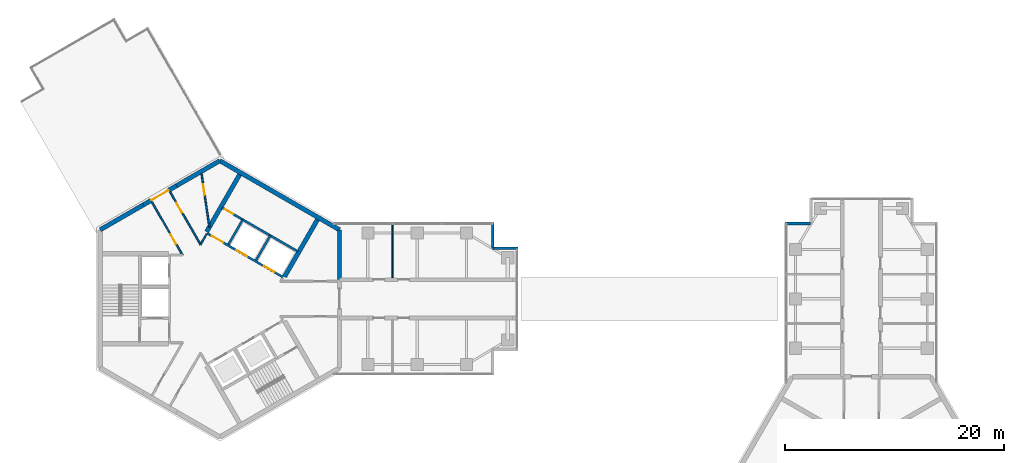
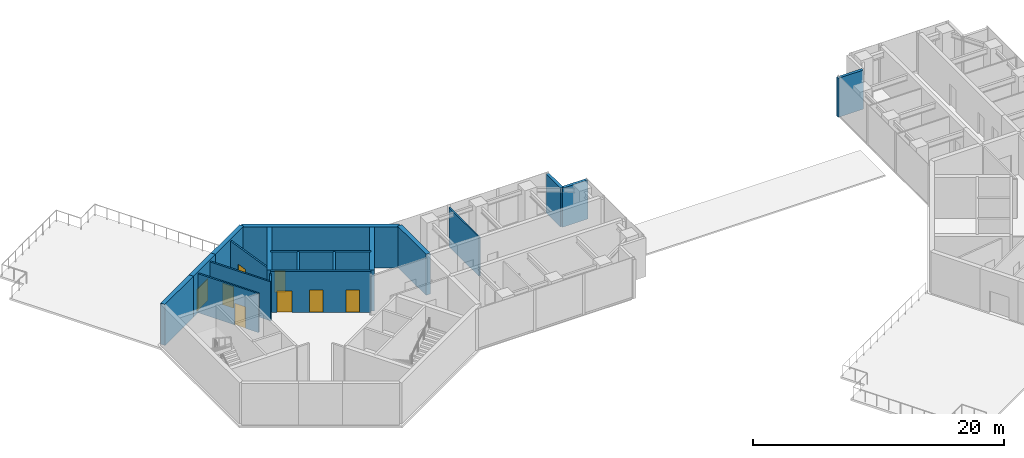
# One storey, part 7 of 11: 19 walls, 8 doors, 8 openings.
"""IFC4 building model written with IfcOpenShell, lengths in metres."""

from ifc_helpers import new_model, si_unit, direction, frame, frame_2d, origin, place, context, subcontext, project, spatial, rectangle, extrude, material, layer, layer_set, type_object, element, fill, save


model = new_model("IFC4")

# Units and contexts
model_context = context("Model", 3, precision=1e-05, world=origin(), true_north=direction((0.0, 1.0)))
body_context = subcontext(model_context, "Body", "Model", "MODEL_VIEW")
ifc_project = project(units=[si_unit("LENGTHUNIT", "METRE"), si_unit("AREAUNIT", "SQUARE_METRE"), si_unit("VOLUMEUNIT", "CUBIC_METRE"), si_unit("PLANEANGLEUNIT", "RADIAN"), si_unit("MASSUNIT", "GRAM", prefix="KILO")], contexts=[model_context])

# Site, building, storey
site_placement = place(None, origin())
site = spatial("IfcSite", under=ifc_project, at=site_placement, CompositionType="ELEMENT")
building_placement = place(site_placement, origin())
building = spatial("IfcBuilding", under=site, at=building_placement, Name="Upepo Twin Towers", CompositionType="ELEMENT")
storey_placement = place(building_placement, frame((0.0, 0.0, 243.5)))
storey = spatial("IfcBuildingStorey", under=building, at=storey_placement, Name="L59", CompositionType="ELEMENT", Elevation=243.5)

# Walls
ifc_material_1 = material(Name="Concrete C60/75", Category="concrete")
ifc_layer_1 = layer(ifc_material_1, 0.39990234375)
ifc_layer_set_1 = layer_set([ifc_layer_1], Name="Concrete C60/75")
wall_type_1 = type_object("IfcWallType", Name="Core wall 400 RC", PredefinedType="SHEAR", material=ifc_layer_set_1)
wall_1_placement = place(storey_placement, frame((10.908447265625, 1.75, 0.0), z_axis=(0.0, 0.0, 1.0), x_axis=(0.0, 1.0, 0.0)))
element("IfcWall", 1, at=wall_1_placement, inside=storey, type_object=wall_type_1, Name="T1 core wall 000 L", PredefinedType="SHEAR", context=body_context, shape_type="SweptSolid", body=[
    extrude(rectangle(XDim=4.5478515625, YDim=0.39990234375, at=frame_2d((2.27392578125, 0.0))), origin(), (0.0, 0.0, 1.0), 4.0),
])
wall_2_placement = place(storey_placement, frame((10.908447265625, 6.2978515625, 0.0), z_axis=(0.0, 0.0, 1.0), x_axis=(-0.866021940709, 0.500005998175, 0.0)))
element("IfcWall", 2, at=wall_2_placement, inside=storey, type_object=wall_type_1, Name="T1 core wall 060", PredefinedType="SHEAR", context=body_context, shape_type="SweptSolid", body=[
    extrude(rectangle(XDim=12.595947265625, YDim=0.39990234375, at=frame_2d((6.2978515625, 0.0))), origin(), (0.0, 0.0, 1.0), 4.0),
])
wall_3_placement = place(storey_placement, frame((0.0, 12.595947265625, 0.0), z_axis=(0.0, 0.0, 1.0), x_axis=(-0.866011268655, -0.500024481964, 0.0)))
element("IfcWall", 3, at=wall_3_placement, inside=storey, type_object=wall_type_1, Name="T1 core wall 120 R", PredefinedType="SHEAR", context=body_context, shape_type="SweptSolid", body=[
    extrude(rectangle(XDim=4.548095703125, YDim=0.39990234375, at=frame_2d((2.27392578125, 0.0))), origin(), (0.0, 0.0, 1.0), 4.0),
])

# Wall, opening, door
wall_4_placement = place(storey_placement, frame((-3.938720703125, 10.32177734375, 0.0), z_axis=(0.0, 0.0, 1.0), x_axis=(-0.866019471182, -0.500010275428, 0.0)))
wall_4 = element("IfcWall", 4, at=wall_4_placement, inside=storey, type_object=wall_type_1, Name="T1 core wall 120", PredefinedType="SHEAR", context=body_context, shape_type="SweptSolid", body=[
    extrude(rectangle(XDim=3.5, YDim=0.39990234375, at=frame_2d((1.75, 0.0))), origin(), (0.0, 0.0, 1.0), 4.0),
])
opening_1_placement = place(wall_4_placement, frame((0.85009765625, 0.0, 0.0)))
opening_1 = element("IfcOpeningElement", 5, at=opening_1_placement, cuts=wall_4, Name="Opening D2", PredefinedType="OPENING", context=body_context, shape_type="SweptSolid", body=[
    extrude(rectangle(XDim=1.800048828125, YDim=2.10009765625, at=frame_2d((0.89990234375, 1.050048828125))), frame((0.0, 0.2099609375, 0.0), z_axis=(0.0, -1.0, 0.0), x_axis=(1.0, 0.0, 0.0)), (0.0, 0.0, 1.0), 0.419921875),
])
ifc_material_2 = material(Name="Timber doorset", Category="wood")
door_type_1 = type_object("IfcDoorType", Name="Corridor double door 1800 FD60", OperationType="DOUBLE_DOOR_DOUBLE_SWING", PredefinedType="DOOR", material=ifc_material_2)
door_1_placement = place(opening_1_placement, origin())
door_1 = element("IfcDoor", 6, at=door_1_placement, inside=storey, type_object=door_type_1, Name="T1 L59 sky terrace door", OperationType="DOUBLE_DOOR_DOUBLE_SWING", OverallHeight=2.10009765625, OverallWidth=1.800048828125, PredefinedType="DOOR", context=body_context, shape_type="SweptSolid", body=[
    extrude(rectangle(XDim=1.800048828125, YDim=2.10009765625, at=frame_2d((0.89990234375, 1.050048828125))), frame((0.0, 0.02490234375, 0.0), z_axis=(0.0, -1.0, 0.0), x_axis=(1.0, 0.0, 0.0)), (0.0, 0.0, 1.0), 0.050048828125),
])
fill(opening_1, door_1)

# Walls
wall_5_placement = place(storey_placement, frame((-6.9697265625, 8.57177734375, 0.0), z_axis=(0.0, 0.0, 1.0), x_axis=(-0.866034513004, -0.499984222037, 0.0)))
element("IfcWall", 7, at=wall_5_placement, inside=storey, type_object=wall_type_1, Name="T1 core wall 120 L", PredefinedType="SHEAR", context=body_context, shape_type="SweptSolid", body=[
    extrude(rectangle(XDim=4.548095703125, YDim=0.39990234375, at=frame_2d((2.27392578125, 0.0))), origin(), (0.0, 0.0, 1.0), 4.0),
])
ifc_material_3 = material(Name="Laminated glass in an aluminium frame", Category="aluminium")
ifc_layer_2 = layer(ifc_material_3, 0.1201171875)
ifc_layer_set_2 = layer_set([ifc_layer_2], Name="Glazed partition 120, aluminium framed")
wall_type_2 = type_object("IfcWallType", Name="Glazed partition 120, aluminium framed", PredefinedType="PARTITIONING", material=ifc_layer_set_2)
wall_6_placement = place(storey_placement, frame((15.75, 1.925048828125, 0.0), z_axis=(0.0, 0.0, 1.0), x_axis=(0.0, 1.0, 0.0)))
element("IfcWall", 8, at=wall_6_placement, inside=storey, type_object=wall_type_2, Name="T1 partition AL at 15.75", PredefinedType="PARTITIONING", context=body_context, shape_type="SweptSolid", body=[
    extrude(rectangle(XDim=4.824951171875, YDim=0.1201171875, at=frame_2d((2.41259765625, 0.0))), origin(), (0.0, 0.0, 1.0), 3.800048828125),
])
ifc_material_4 = material(Name="Blockwork with anodised aluminium cladding", Category="masonry")
ifc_layer_3 = layer(ifc_material_4, 0.25)
ifc_layer_set_3 = layer_set([ifc_layer_3], Name="Notch cladding wall 250, pale metal")
wall_type_3 = type_object("IfcWallType", Name="Notch cladding wall 250, pale metal", PredefinedType="STANDARD", material=ifc_layer_set_3)
for number, where, z_axis, x_axis, name in (
    (9, (24.875, 6.949951171875, 0.0), (0.0, 0.0, 1.0), (0.0, -1.0, 0.0), "T1 L59 wing A notch wall L1"),
    (10, (24.875, 4.625, 0.0), (0.0, 0.0, 1.0), (1.0, 0.0, 0.0), "T1 L59 wing A notch wall L2"),
    (11, (51.550048828125, 6.875, 0.0), (0.0, 0.0, 1.0), (1.0, 0.0, 0.0), "T2 L59 wing A notch wall L1"),
):
    element("IfcWall", number, at=place(storey_placement, frame(where, z_axis=z_axis, x_axis=x_axis)), inside=storey, type_object=wall_type_3, Name=name, PredefinedType="STANDARD", context=body_context, shape_type="SweptSolid", body=[
        extrude(rectangle(XDim=2.324951171875, YDim=0.25, at=frame_2d((1.16259765625, 0.0))), origin(), (0.0, 0.0, 1.0), 3.800048828125),
    ])

# Wall, openings, doors
ifc_material_5 = material(Name="Concrete C40/50", Category="concrete")
ifc_layer_4 = layer(ifc_material_5, 0.199951171875)
ifc_layer_set_4 = layer_set([ifc_layer_4], Name="Concrete C40/50")
wall_type_4 = type_object("IfcWallType", Name="Shaft wall 200 RC", PredefinedType="SHEAR", material=ifc_layer_set_4)
wall_7_placement = place(storey_placement, frame((5.76416015625, 1.983642578125, 0.0), z_axis=(0.0, 0.0, 1.0), x_axis=(-0.866026010844, 0.49999894854, 0.0)))
wall_7 = element("IfcWall", 12, at=wall_7_placement, inside=storey, type_object=wall_type_4, Name="T1 core W60 front wall", PredefinedType="SHEAR", context=body_context, shape_type="SweptSolid", body=[
    extrude(rectangle(XDim=8.0, YDim=0.199951171875, at=frame_2d((4.0, 0.0))), origin(), (0.0, 0.0, 1.0), 4.0),
])
opening_2_placement = place(wall_7_placement, frame((6.300048828125, 0.0, 0.0)))
opening_2 = element("IfcOpeningElement", 13, at=opening_2_placement, cuts=wall_7, Name="Opening D4", PredefinedType="OPENING", context=body_context, shape_type="SweptSolid", body=[
    extrude(rectangle(XDim=1.199951171875, YDim=2.10009765625, at=frame_2d((0.60009765625, 1.050048828125))), frame((0.0, 0.10986328125, 0.0), z_axis=(0.0, -1.0, 0.0), x_axis=(1.0, 0.0, 0.0)), (0.0, 0.0, 1.0), 0.219970703125),
])
opening_3_placement = place(wall_7_placement, frame((0.89990234375, 0.0, 0.0)))
opening_3 = element("IfcOpeningElement", 14, at=opening_3_placement, cuts=wall_7, Name="Opening LD1", PredefinedType="OPENING", context=body_context, shape_type="SweptSolid", body=[
    extrude(rectangle(XDim=1.10009765625, YDim=2.199951171875, at=frame_2d((0.550048828125, 1.10009765625))), frame((0.0, 0.10986328125, 0.0), z_axis=(0.0, -1.0, 0.0), x_axis=(1.0, 0.0, 0.0)), (0.0, 0.0, 1.0), 0.219970703125),
])
opening_4_placement = place(wall_7_placement, frame((3.800048828125, 0.0, 0.0)))
opening_4 = element("IfcOpeningElement", 15, at=opening_4_placement, cuts=wall_7, Name="Opening LD1", PredefinedType="OPENING", context=body_context, shape_type="SweptSolid", body=[
    extrude(rectangle(XDim=1.10009765625, YDim=2.199951171875, at=frame_2d((0.550048828125, 1.10009765625))), frame((0.0, 0.10986328125, 0.0), z_axis=(0.0, -1.0, 0.0), x_axis=(1.0, 0.0, 0.0)), (0.0, 0.0, 1.0), 0.219970703125),
])
ifc_material_6 = material(Name="Steel doorset", Category="steel")
door_type_2 = type_object("IfcDoorType", Name="Lift landing door 1100", OperationType="DOUBLE_DOOR_SLIDING", PredefinedType="DOOR", material=ifc_material_6)
door_2_placement = place(opening_3_placement, origin())
door_2 = element("IfcDoor", 16, at=door_2_placement, inside=storey, type_object=door_type_2, Name="T1 L59 lift EX1 landing door", OperationType="DOUBLE_DOOR_SLIDING", OverallHeight=2.199951171875, OverallWidth=1.10009765625, PredefinedType="DOOR", context=body_context, shape_type="SweptSolid", body=[
    extrude(rectangle(XDim=1.10009765625, YDim=2.199951171875, at=frame_2d((0.550048828125, 1.10009765625))), frame((0.0, 0.02490234375, 0.0), z_axis=(0.0, -1.0, 0.0), x_axis=(1.0, 0.0, 0.0)), (0.0, 0.0, 1.0), 0.050048828125),
])
fill(opening_3, door_2)
door_3_placement = place(opening_4_placement, origin())
door_3 = element("IfcDoor", 17, at=door_3_placement, inside=storey, type_object=door_type_2, Name="T1 L59 lift EX2 landing door", OperationType="DOUBLE_DOOR_SLIDING", OverallHeight=2.199951171875, OverallWidth=1.10009765625, PredefinedType="DOOR", context=body_context, shape_type="SweptSolid", body=[
    extrude(rectangle(XDim=1.10009765625, YDim=2.199951171875, at=frame_2d((0.550048828125, 1.10009765625))), frame((0.0, 0.02490234375, 0.0), z_axis=(0.0, -1.0, 0.0), x_axis=(1.0, 0.0, 0.0)), (0.0, 0.0, 1.0), 0.050048828125),
])
fill(opening_4, door_3)
ifc_material_7 = material(Name="Timber doorset", Category="wood")
door_type_3 = type_object("IfcDoorType", Name="Lobby door 1200 FD60", OperationType="SINGLE_SWING_LEFT", PredefinedType="DOOR", material=ifc_material_7)
door_4_placement = place(opening_2_placement, origin())
door_4 = element("IfcDoor", 18, at=door_4_placement, inside=storey, type_object=door_type_3, Name="T1 L59 W60 lobby door", OperationType="SINGLE_SWING_RIGHT", OverallHeight=2.10009765625, OverallWidth=1.199951171875, PredefinedType="DOOR", context=body_context, shape_type="SweptSolid", body=[
    extrude(rectangle(XDim=1.199951171875, YDim=2.10009765625, at=frame_2d((0.60009765625, 1.050048828125))), frame((0.0, 0.02490234375, 0.0), z_axis=(0.0, -1.0, 0.0), x_axis=(1.0, 0.0, 0.0)), (0.0, 0.0, 1.0), 0.050048828125),
])
fill(opening_2, door_4)

# Walls
for number, where, z_axis, x_axis, name in (
    (19, (3.302734375, 3.520263671875, 0.0), (0.0, 0.0, 1.0), (0.499936506574, 0.866062058628, 0.0), "T1 core W60 shaft divider"),
    (20, (0.791259765625, 4.97021484375, 0.0), (0.0, 0.0, 1.0), (0.499936506574, 0.866062058628, 0.0), "T1 core W60 lobby wall"),
):
    element("IfcWall", number, at=place(storey_placement, frame(where, z_axis=z_axis, x_axis=x_axis)), inside=storey, type_object=wall_type_4, Name=name, PredefinedType="SHEAR", context=body_context, shape_type="SweptSolid", body=[
        extrude(rectangle(XDim=2.599853515625, YDim=0.199951171875, at=frame_2d((1.2998046875, 0.0))), origin(), (0.0, 0.0, 1.0), 4.0),
    ])

# Wall, opening, door
wall_8_placement = place(storey_placement, frame((7.114013671875, 4.322021484375, 0.0), z_axis=(0.0, 0.0, 1.0), x_axis=(-0.866026010844, 0.49999894854, 0.0)))
wall_8 = element("IfcWall", 21, at=wall_8_placement, inside=storey, type_object=wall_type_4, Name="T1 core W60 stair wall", PredefinedType="SHEAR", context=body_context, shape_type="SweptSolid", body=[
    extrude(rectangle(XDim=8.0, YDim=0.199951171875, at=frame_2d((4.0, 0.0))), origin(), (0.0, 0.0, 1.0), 4.0),
])
opening_5_placement = place(wall_8_placement, frame((6.800048828125, 0.0, 0.0)))
opening_5 = element("IfcOpeningElement", 22, at=opening_5_placement, cuts=wall_8, Name="Opening D9", PredefinedType="OPENING", context=body_context, shape_type="SweptSolid", body=[
    extrude(rectangle(XDim=0.89990234375, YDim=2.10009765625, at=frame_2d((0.449951171875, 1.050048828125))), frame((0.0, 0.10986328125, 0.0), z_axis=(0.0, -1.0, 0.0), x_axis=(1.0, 0.0, 0.0)), (0.0, 0.0, 1.0), 0.219970703125),
])
ifc_material_8 = material(Name="Timber doorset", Category="wood")
door_type_4 = type_object("IfcDoorType", Name="Riser door 900 FD60", OperationType="SINGLE_SWING_LEFT", PredefinedType="DOOR", material=ifc_material_8)
door_5_placement = place(opening_5_placement, origin())
door_5 = element("IfcDoor", 23, at=door_5_placement, inside=storey, type_object=door_type_4, Name="T1 L59 riser door", OperationType="SINGLE_SWING_RIGHT", OverallHeight=2.10009765625, OverallWidth=0.89990234375, PredefinedType="DOOR", context=body_context, shape_type="SweptSolid", body=[
    extrude(rectangle(XDim=0.89990234375, YDim=2.10009765625, at=frame_2d((0.449951171875, 1.050048828125))), frame((0.0, 0.02490234375, 0.0), z_axis=(0.0, -1.0, 0.0), x_axis=(1.0, 0.0, 0.0)), (0.0, 0.0, 1.0), 0.050048828125),
])
fill(opening_5, door_5)

# Walls
ifc_material_9 = material(Name="Concrete C40/50", Category="concrete")
ifc_layer_5 = layer(ifc_material_9, 0.39990234375)
ifc_layer_set_5 = layer_set([ifc_layer_5], Name="Concrete C40/50")
wall_type_5 = type_object("IfcWallType", Name="Shaft wall 400 RC", PredefinedType="SHEAR", material=ifc_layer_set_5)
for number, where, z_axis, x_axis, name in (
    (24, (-1.20068359375, 6.120361328125, 0.0), (0.0, 0.0, 1.0), (0.499997979876, 0.866026570101, 0.0), "T1 core W60 side wall N"),
    (25, (5.900634765625, 2.020263671875, 0.0), (0.0, 0.0, 1.0), (0.499997979876, 0.866026570101, 0.0), "T1 core W60 side wall S"),
):
    element("IfcWall", number, at=place(storey_placement, frame(where, z_axis=z_axis, x_axis=x_axis)), inside=storey, type_object=wall_type_5, Name=name, PredefinedType="SHEAR", context=body_context, shape_type="SweptSolid", body=[
        extrude(rectangle(XDim=6.00830078125, YDim=0.39990234375, at=frame_2d((3.004150390625, 0.0))), origin(), (0.0, 0.0, 1.0), 4.0),
    ])

# Wall, opening, door
ifc_material_10 = material(Name="Gypsum board on steel studs", Category="steel")
ifc_layer_6 = layer(ifc_material_10, 0.14990234375)
ifc_layer_set_6 = layer_set([ifc_layer_6], Name="Teaching partition 150 acoustic")
wall_type_6 = type_object("IfcWallType", Name="Teaching partition 150 acoustic", PredefinedType="PARTITIONING", material=ifc_layer_set_6)
wall_9_placement = place(storey_placement, frame((-3.396484375, 3.982666015625, 0.0), z_axis=(0.0, 0.0, 1.0), x_axis=(-0.499980410194, 0.866036713669, 0.0)))
wall_9 = element("IfcWall", 26, at=wall_9_placement, inside=storey, type_object=wall_type_6, Name="T1 core room partition 6", PredefinedType="PARTITIONING", context=body_context, shape_type="SweptSolid", body=[
    extrude(rectangle(XDim=5.571044921875, YDim=0.14990234375, at=frame_2d((2.78564453125, 0.0))), origin(), (0.0, 0.0, 1.0), 3.800048828125),
])
opening_6_placement = place(wall_9_placement, frame((1.185546875, 0.0, 0.0)))
opening_6 = element("IfcOpeningElement", 27, at=opening_6_placement, cuts=wall_9, Name="Opening D1", PredefinedType="OPENING", context=body_context, shape_type="SweptSolid", body=[
    extrude(rectangle(XDim=1.0, YDim=2.10009765625, at=frame_2d((0.5, 1.050048828125))), frame((0.0, 0.0849609375, 0.0), z_axis=(0.0, -1.0, 0.0), x_axis=(1.0, 0.0, 0.0)), (0.0, 0.0, 1.0), 0.169921875),
])
ifc_material_11 = material(Name="Timber doorset", Category="wood")
door_type_5 = type_object("IfcDoorType", Name="Room door 1000 FD30", OperationType="SINGLE_SWING_LEFT", PredefinedType="DOOR", material=ifc_material_11)
door_6_placement = place(opening_6_placement, origin())
door_6 = element("IfcDoor", 28, at=door_6_placement, inside=storey, type_object=door_type_5, Name="T1 L59 core room door K7", OperationType="SINGLE_SWING_LEFT", OverallHeight=2.10009765625, OverallWidth=1.0, PredefinedType="DOOR", context=body_context, shape_type="SweptSolid", body=[
    extrude(rectangle(XDim=1.0, YDim=2.10009765625, at=frame_2d((0.5, 1.050048828125))), frame((0.0, 0.02490234375, 0.0), z_axis=(0.0, -1.0, 0.0), x_axis=(1.0, 0.0, 0.0)), (0.0, 0.0, 1.0), 0.050048828125),
])
fill(opening_6, door_6)

wall_10_placement = place(storey_placement, frame((-4.536376953125, 9.75732421875, 0.0), z_axis=(0.0, 0.0, 1.0), x_axis=(0.499980410194, -0.866036713669, 0.0)))
wall_10 = element("IfcWall", 29, at=wall_10_placement, inside=storey, type_object=wall_type_6, Name="T1 core room partition 7", PredefinedType="PARTITIONING", context=body_context, shape_type="SweptSolid", body=[
    extrude(rectangle(XDim=5.571044921875, YDim=0.14990234375, at=frame_2d((2.78564453125, 0.0))), origin(), (0.0, 0.0, 1.0), 3.800048828125),
])
opening_7_placement = place(wall_10_placement, frame((1.165283203125, 0.0, 0.0)))
opening_7 = element("IfcOpeningElement", 30, at=opening_7_placement, cuts=wall_10, Name="Opening D1", PredefinedType="OPENING", context=body_context, shape_type="SweptSolid", body=[
    extrude(rectangle(XDim=1.0, YDim=2.10009765625, at=frame_2d((0.5, 1.050048828125))), frame((0.0, 0.0849609375, 0.0), z_axis=(0.0, -1.0, 0.0), x_axis=(1.0, 0.0, 0.0)), (0.0, 0.0, 1.0), 0.169921875),
])
door_7_placement = place(opening_7_placement, origin())
door_7 = element("IfcDoor", 31, at=door_7_placement, inside=storey, type_object=door_type_5, Name="T1 L59 core room door K5", OperationType="SINGLE_SWING_LEFT", OverallHeight=2.10009765625, OverallWidth=1.0, PredefinedType="DOOR", context=body_context, shape_type="SweptSolid", body=[
    extrude(rectangle(XDim=1.0, YDim=2.10009765625, at=frame_2d((0.5, 1.050048828125))), frame((0.0, 0.02490234375, 0.0), z_axis=(0.0, -1.0, 0.0), x_axis=(1.0, 0.0, 0.0)), (0.0, 0.0, 1.0), 0.050048828125),
])
fill(opening_7, door_7)

# Wall
wall_11_placement = place(storey_placement, frame((-1.77099609375, 4.9326171875, 0.0), z_axis=(0.0, 0.0, 1.0), x_axis=(0.500111091428, 0.865961255618, 0.0)))
element("IfcWall", 32, at=wall_11_placement, inside=storey, type_object=wall_type_6, Name="T1 core room partition 8", PredefinedType="PARTITIONING", context=body_context, shape_type="SweptSolid", body=[
    extrude(rectangle(XDim=1.123779296875, YDim=0.14990234375, at=frame_2d((0.56201171875, 0.0))), origin(), (0.0, 0.0, 1.0), 3.800048828125),
])

# Wall, opening, door
wall_12_placement = place(storey_placement, frame((-0.9541015625, 6.547119140625, 0.0), z_axis=(0.0, 0.0, 1.0), x_axis=(-0.144261243656, 0.989539637194, 0.0)))
wall_12 = element("IfcWall", 33, at=wall_12_placement, inside=storey, type_object=wall_type_6, Name="T1 core room partition 13", PredefinedType="PARTITIONING", context=body_context, shape_type="SweptSolid", body=[
    extrude(rectangle(XDim=4.909423828125, YDim=0.14990234375, at=frame_2d((2.45458984375, 0.0))), origin(), (0.0, 0.0, 1.0), 3.800048828125),
])
opening_8_placement = place(wall_12_placement, frame((2.9365234375, 0.0, 0.0)))
opening_8 = element("IfcOpeningElement", 34, at=opening_8_placement, cuts=wall_12, Name="Opening D1", PredefinedType="OPENING", context=body_context, shape_type="SweptSolid", body=[
    extrude(rectangle(XDim=1.0, YDim=2.10009765625, at=frame_2d((0.5, 1.050048828125))), frame((0.0, 0.0849609375, 0.0), z_axis=(0.0, -1.0, 0.0), x_axis=(1.0, 0.0, 0.0)), (0.0, 0.0, 1.0), 0.169921875),
])
door_8_placement = place(opening_8_placement, origin())
door_8 = element("IfcDoor", 35, at=door_8_placement, inside=storey, type_object=door_type_5, Name="T1 L59 core room door K6", OperationType="SINGLE_SWING_RIGHT", OverallHeight=2.10009765625, OverallWidth=1.0, PredefinedType="DOOR", context=body_context, shape_type="SweptSolid", body=[
    extrude(rectangle(XDim=1.0, YDim=2.10009765625, at=frame_2d((0.5, 1.050048828125))), frame((0.0, 0.02490234375, 0.0), z_axis=(0.0, -1.0, 0.0), x_axis=(1.0, 0.0, 0.0)), (0.0, 0.0, 1.0), 0.050048828125),
])
fill(opening_8, door_8)

save(model, "model.ifc")
